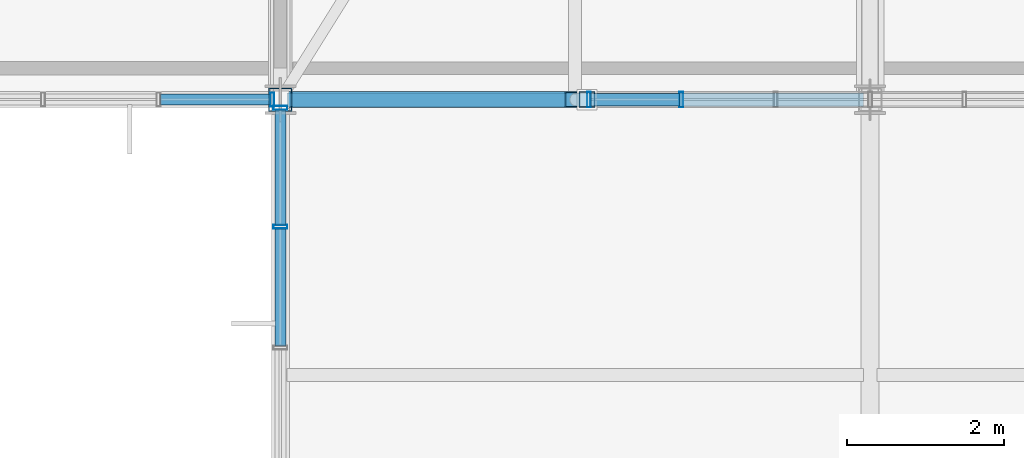
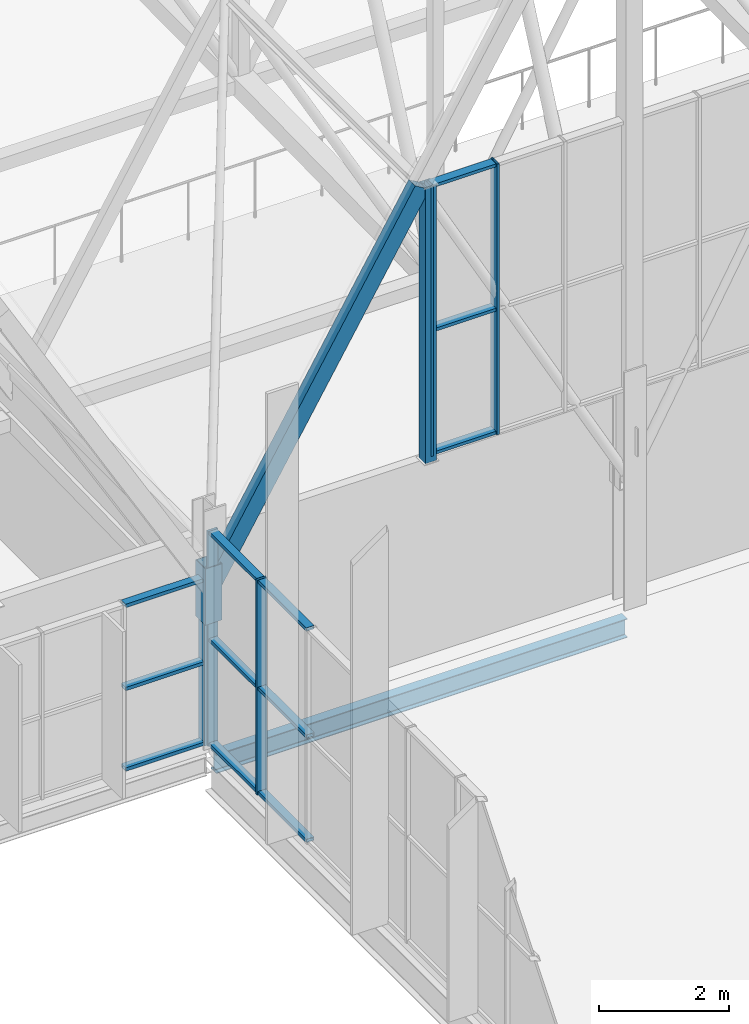
# One storey, part 139 of 324: 20 members, 1 beam, 3 elements without a shape of their own.
"""IFC4 building model written with IfcOpenShell, lengths in metres."""

from ifc_helpers import new_model, si_unit, direction, frame, origin, origin_2d, place, context, subcontext, project, spatial, hollow_rectangle, i_section, extrude, material, layer, layer_set, material_profile, profile_set, type_object, element, aggregate, save


model = new_model("IFC4")

# Units and contexts
model_context = context("Model", 3, precision=1e-05, world=origin(), true_north=direction((0.0, 1.0)))
body_context = subcontext(model_context, "Body", "Model", "MODEL_VIEW")
ifc_project = project(units=[si_unit("LENGTHUNIT", "METRE"), si_unit("AREAUNIT", "SQUARE_METRE"), si_unit("VOLUMEUNIT", "CUBIC_METRE"), si_unit("PLANEANGLEUNIT", "RADIAN"), si_unit("MASSUNIT", "GRAM", prefix="KILO")], contexts=[model_context])

# Site, building, storey
site_placement = place(None, origin())
site = spatial("IfcSite", under=ifc_project, at=site_placement, CompositionType="ELEMENT")
building_placement = place(site_placement, origin())
building = spatial("IfcBuilding", under=site, at=building_placement, Name="Solvenia Promenade Tram Depot", CompositionType="ELEMENT")
storey_placement = place(building_placement, frame((0.0, 0.0, 4.5)))
storey = spatial("IfcBuildingStorey", under=building, at=storey_placement, Name="L01", CompositionType="ELEMENT", Elevation=4.5)

# Curtain wall, member
ifc_material_1 = material(Name="Anodized aluminium AW-6063 T6", Category="aluminium")
ifc_layer_1 = layer(ifc_material_1, 0.159912109375, Name="Anodized aluminium AW-6063 T6", Category="aluminium")
ifc_layer_set_1 = layer_set([ifc_layer_1], Name="Anodized aluminium AW-6063 T6")
curtain_wall_type_1 = type_object("IfcCurtainWallType", Name="CW-Channel-1500", PredefinedType="NOTDEFINED", material=ifc_layer_set_1)
curtain_wall_1_placement = place(storey_placement, origin())
curtain_wall_1 = element("IfcCurtainWall", 1, at=curtain_wall_1_placement, inside=storey, type_object=curtain_wall_type_1, Name="Curtain Wall CW-V1S1-08", PredefinedType="NOTDEFINED")
ifc_material_profile_1 = material_profile(ifc_material_1, hollow_rectangle(XDim=0.179931640625, YDim=0.050048828125, WallThickness=0.00390625, at=origin_2d()), Name="ALU-M2", Category="aluminium")
ifc_profile_set_1 = profile_set([ifc_material_profile_1], Name="Anodized aluminium AW-6063 T6")
member_type_1 = type_object("IfcMemberType", Name="CWM-Mullion-2", PredefinedType="MULLION", material=ifc_profile_set_1)
member_1_placement = place(storey_placement, frame((104.89501953125, 66.0, 0.0), z_axis=(0.0, 0.0, 1.0), x_axis=(0.0, 1.0, 0.0)))
member_1 = element("IfcMember", 2, at=member_1_placement, type_object=member_type_1, Name="CW-2 mullion 6", PredefinedType="MULLION", context=body_context, shape_type="SweptSolid", body=[
    extrude(hollow_rectangle(XDim=0.179931640625, YDim=0.050048828125, WallThickness=0.00390625, at=origin_2d()), origin(), (0.0, 0.0, 1.0), 3.14990234375),
])

# Curtain wall, members
ifc_layer_2 = layer(ifc_material_1, 0.14990234375, Name="Anodized aluminium AW-6063 T6", Category="aluminium")
ifc_layer_set_2 = layer_set([ifc_layer_2], Name="Anodized aluminium AW-6063 T6")
curtain_wall_type_2 = type_object("IfcCurtainWallType", Name="CW-Court-1500", PredefinedType="NOTDEFINED", material=ifc_layer_set_2)
curtain_wall_2_placement = place(storey_placement, origin())
curtain_wall_2 = element("IfcCurtainWall", 3, at=curtain_wall_2_placement, inside=storey, type_object=curtain_wall_type_2, Name="Curtain Wall CW-V2W-L1-2", PredefinedType="NOTDEFINED")
member_2_placement = place(storey_placement, frame((105.0, 64.38232421875, 0.0), z_axis=(0.0, 0.0, 1.0), x_axis=(-1.0, 0.0, 0.0)))
member_2 = element("IfcMember", 4, at=member_2_placement, type_object=member_type_1, Name="CW-5 mullion 9", PredefinedType="MULLION", context=body_context, shape_type="SweptSolid", body=[
    extrude(hollow_rectangle(XDim=0.179931640625, YDim=0.050048828125, WallThickness=0.00390625, at=origin_2d()), origin(), (0.0, 0.0, 1.0), 4.050048828125),
])
member_3_placement = place(storey_placement, frame((105.0, 65.89501953125, 0.0), z_axis=(0.0, 0.0, 1.0), x_axis=(-1.0, 0.0, 0.0)))
member_3 = element("IfcMember", 5, at=member_3_placement, type_object=member_type_1, Name="CW-5 mullion 10", PredefinedType="MULLION", context=body_context, shape_type="SweptSolid", body=[
    extrude(hollow_rectangle(XDim=0.179931640625, YDim=0.050048828125, WallThickness=0.00390625, at=origin_2d()), origin(), (0.0, 0.0, 1.0), 4.050048828125),
])

ifc_layer_3 = layer(ifc_material_1, 0.14990234375, Name="Anodized aluminium AW-6063 T6", Category="aluminium")
ifc_layer_set_3 = layer_set([ifc_layer_3], Name="Anodized aluminium AW-6063 T6")
curtain_wall_type_3 = type_object("IfcCurtainWallType", Name="CW-Gable-1200", PredefinedType="NOTDEFINED", material=ifc_layer_set_3)
curtain_wall_3_placement = place(storey_placement, origin())
curtain_wall_3 = element("IfcCurtainWall", 6, at=curtain_wall_3_placement, inside=storey, type_object=curtain_wall_type_3, Name="South Zigzag Gable 08 Peak Glazing", PredefinedType="NOTDEFINED")
ifc_material_profile_2 = material_profile(ifc_material_1, hollow_rectangle(XDim=0.199951171875, YDim=0.048095703125, WallThickness=0.00390625, at=origin_2d()), Name="ALU-M3", Category="aluminium")
ifc_profile_set_2 = profile_set([ifc_material_profile_2], Name="Anodized aluminium AW-6063 T6")
member_type_2 = type_object("IfcMemberType", Name="CWM-Mullion-3", PredefinedType="MULLION", material=ifc_profile_set_2)
member_4_placement = place(storey_placement, frame((108.924072265625, 66.0, 4.050048828125), z_axis=(0.0, 0.0, 1.0), x_axis=(0.0, 1.0, 0.0)))
member_4 = element("IfcMember", 7, at=member_4_placement, type_object=member_type_2, Name="CW-3 mullion 1", PredefinedType="MULLION", context=body_context, shape_type="SweptSolid", body=[
    extrude(hollow_rectangle(XDim=0.199951171875, YDim=0.048095703125, WallThickness=0.00390625, at=origin_2d()), origin(), (0.0, 0.0, 1.0), 5.099853515625),
])
member_5_placement = place(storey_placement, frame((110.10009765625, 66.0, 4.050048828125), z_axis=(0.0, 0.0, 1.0), x_axis=(0.0, 1.0, 0.0)))
member_5 = element("IfcMember", 8, at=member_5_placement, type_object=member_type_2, Name="CW-3 mullion 2", PredefinedType="MULLION", context=body_context, shape_type="SweptSolid", body=[
    extrude(hollow_rectangle(XDim=0.199951171875, YDim=0.048095703125, WallThickness=0.00390625, at=origin_2d()), origin(), (0.0, 0.0, 1.0), 5.099853515625),
])

# Member
ifc_material_profile_3 = material_profile(ifc_material_1, hollow_rectangle(XDim=0.139892578125, YDim=0.06494140625, WallThickness=0.00390625, at=origin_2d()), Name="ALU-T2", Category="aluminium")
ifc_profile_set_3 = profile_set([ifc_material_profile_3], Name="Anodized aluminium AW-6063 T6")
member_type_3 = type_object("IfcMemberType", Name="CWT-Transom-2", PredefinedType="USERDEFINED", material=ifc_profile_set_3)
member_6_placement = place(storey_placement, frame((103.47705078125, 66.0, 0.032470703125), z_axis=(1.0, 0.0, 0.0), x_axis=(0.0, 1.0, 0.0)))
member_6 = element("IfcMember", 9, at=member_6_placement, type_object=member_type_3, Name="CW-2 transom 5.1", ObjectType="TRANSOM", PredefinedType="USERDEFINED", context=body_context, shape_type="SweptSolid", body=[
    extrude(hollow_rectangle(XDim=0.139892578125, YDim=0.06494140625, WallThickness=0.00390625, at=origin_2d()), origin(), (0.0, 0.0, 1.0), 1.39306640625),
])

member_7_placement = place(storey_placement, frame((103.47705078125, 66.0, 1.550048828125), z_axis=(1.0, 0.0, 0.0), x_axis=(0.0, 1.0, 0.0)))
member_7 = element("IfcMember", 10, at=member_7_placement, type_object=member_type_3, Name="CW-2 transom 5.2", ObjectType="TRANSOM", PredefinedType="USERDEFINED", context=body_context, shape_type="SweptSolid", body=[
    extrude(hollow_rectangle(XDim=0.139892578125, YDim=0.06494140625, WallThickness=0.00390625, at=origin_2d()), origin(), (0.0, 0.0, 1.0), 1.39306640625),
])

member_8_placement = place(storey_placement, frame((103.47705078125, 66.0, 3.117431640625), z_axis=(1.0, 0.0, 0.0), x_axis=(0.0, 1.0, 0.0)))
member_8 = element("IfcMember", 11, at=member_8_placement, type_object=member_type_3, Name="CW-2 transom 5.3", ObjectType="TRANSOM", PredefinedType="USERDEFINED", context=body_context, shape_type="SweptSolid", body=[
    extrude(hollow_rectangle(XDim=0.139892578125, YDim=0.06494140625, WallThickness=0.00390625, at=origin_2d()), origin(), (0.0, 0.0, 1.0), 1.39306640625),
])

aggregate(curtain_wall_1, [member_1, member_6, member_7, member_8])

member_9_placement = place(storey_placement, frame((105.0, 62.869384765625, 0.032470703125), z_axis=(0.0, 1.0, 0.0), x_axis=(-1.0, 0.0, 0.0)))
member_9 = element("IfcMember", 12, at=member_9_placement, type_object=member_type_3, Name="CW-5 transom 8.1", ObjectType="TRANSOM", PredefinedType="USERDEFINED", context=body_context, shape_type="SweptSolid", body=[
    extrude(hollow_rectangle(XDim=0.139892578125, YDim=0.06494140625, WallThickness=0.00390625, at=origin_2d()), origin(), (0.0, 0.0, 1.0), 1.48779296875),
])

member_10_placement = place(storey_placement, frame((105.0, 62.869384765625, 2.0), z_axis=(0.0, 1.0, 0.0), x_axis=(-1.0, 0.0, 0.0)))
member_10 = element("IfcMember", 13, at=member_10_placement, type_object=member_type_3, Name="CW-5 transom 8.2", ObjectType="TRANSOM", PredefinedType="USERDEFINED", context=body_context, shape_type="SweptSolid", body=[
    extrude(hollow_rectangle(XDim=0.139892578125, YDim=0.06494140625, WallThickness=0.00390625, at=origin_2d()), origin(), (0.0, 0.0, 1.0), 1.48779296875),
])

member_11_placement = place(storey_placement, frame((105.0, 62.869384765625, 4.017578125), z_axis=(0.0, 1.0, 0.0), x_axis=(-1.0, 0.0, 0.0)))
member_11 = element("IfcMember", 14, at=member_11_placement, type_object=member_type_3, Name="CW-5 transom 8.3", ObjectType="TRANSOM", PredefinedType="USERDEFINED", context=body_context, shape_type="SweptSolid", body=[
    extrude(hollow_rectangle(XDim=0.139892578125, YDim=0.06494140625, WallThickness=0.00390625, at=origin_2d()), origin(), (0.0, 0.0, 1.0), 1.48779296875),
])

member_12_placement = place(storey_placement, frame((105.0, 64.4072265625, 0.032470703125), z_axis=(0.0, 1.0, 0.0), x_axis=(-1.0, 0.0, 0.0)))
member_12 = element("IfcMember", 15, at=member_12_placement, type_object=member_type_3, Name="CW-5 transom 9.1", ObjectType="TRANSOM", PredefinedType="USERDEFINED", context=body_context, shape_type="SweptSolid", body=[
    extrude(hollow_rectangle(XDim=0.139892578125, YDim=0.06494140625, WallThickness=0.00390625, at=origin_2d()), origin(), (0.0, 0.0, 1.0), 1.462890625),
])

member_13_placement = place(storey_placement, frame((105.0, 64.4072265625, 2.0), z_axis=(0.0, 1.0, 0.0), x_axis=(-1.0, 0.0, 0.0)))
member_13 = element("IfcMember", 16, at=member_13_placement, type_object=member_type_3, Name="CW-5 transom 9.2", ObjectType="TRANSOM", PredefinedType="USERDEFINED", context=body_context, shape_type="SweptSolid", body=[
    extrude(hollow_rectangle(XDim=0.139892578125, YDim=0.06494140625, WallThickness=0.00390625, at=origin_2d()), origin(), (0.0, 0.0, 1.0), 1.462890625),
])

member_14_placement = place(storey_placement, frame((105.0, 64.4072265625, 4.017578125), z_axis=(0.0, 1.0, 0.0), x_axis=(-1.0, 0.0, 0.0)))
member_14 = element("IfcMember", 17, at=member_14_placement, type_object=member_type_3, Name="CW-5 transom 9.3", ObjectType="TRANSOM", PredefinedType="USERDEFINED", context=body_context, shape_type="SweptSolid", body=[
    extrude(hollow_rectangle(XDim=0.139892578125, YDim=0.06494140625, WallThickness=0.00390625, at=origin_2d()), origin(), (0.0, 0.0, 1.0), 1.462890625),
])

aggregate(curtain_wall_2, [member_2, member_3, member_9, member_10, member_11, member_12, member_13, member_14])

ifc_material_profile_4 = material_profile(ifc_material_1, hollow_rectangle(XDim=0.159912109375, YDim=0.05810546875, WallThickness=0.00390625, at=origin_2d()), Name="ALU-T3", Category="aluminium")
ifc_profile_set_4 = profile_set([ifc_material_profile_4], Name="Anodized aluminium AW-6063 T6")
member_type_4 = type_object("IfcMemberType", Name="CWT-Transom-3", PredefinedType="USERDEFINED", material=ifc_profile_set_4)
member_15_placement = place(storey_placement, frame((108.947998046875, 66.0, 4.0791015625), z_axis=(1.0, 0.0, 0.0), x_axis=(0.0, 1.0, 0.0)))
member_15 = element("IfcMember", 18, at=member_15_placement, type_object=member_type_4, Name="CW-3 transom 1.1", ObjectType="TRANSOM", PredefinedType="USERDEFINED", context=body_context, shape_type="SweptSolid", body=[
    extrude(hollow_rectangle(XDim=0.159912109375, YDim=0.05810546875, WallThickness=0.00390625, at=origin_2d()), origin(), (0.0, 0.0, 1.0), 1.1279296875),
])

member_16_placement = place(storey_placement, frame((108.947998046875, 66.0, 6.39990234375), z_axis=(1.0, 0.0, 0.0), x_axis=(0.0, 1.0, 0.0)))
member_16 = element("IfcMember", 19, at=member_16_placement, type_object=member_type_4, Name="CW-3 transom 1.2", ObjectType="TRANSOM", PredefinedType="USERDEFINED", context=body_context, shape_type="SweptSolid", body=[
    extrude(hollow_rectangle(XDim=0.159912109375, YDim=0.05810546875, WallThickness=0.00390625, at=origin_2d()), origin(), (0.0, 0.0, 1.0), 1.1279296875),
])

member_17_placement = place(storey_placement, frame((108.947998046875, 66.0, 9.12109375), z_axis=(1.0, 0.0, 0.0), x_axis=(0.0, 1.0, 0.0)))
member_17 = element("IfcMember", 20, at=member_17_placement, type_object=member_type_4, Name="CW-3 transom 1.3", ObjectType="TRANSOM", PredefinedType="USERDEFINED", context=body_context, shape_type="SweptSolid", body=[
    extrude(hollow_rectangle(XDim=0.159912109375, YDim=0.05810546875, WallThickness=0.00390625, at=origin_2d()), origin(), (0.0, 0.0, 1.0), 1.1279296875),
])

aggregate(curtain_wall_3, [member_4, member_5, member_15, member_16, member_17])

# Members
ifc_material_2 = material(Name="Structural steel ASTM A500 Gr. C", Category="steel")
ifc_material_profile_5 = material_profile(ifc_material_2, hollow_rectangle(XDim=0.199951171875, YDim=0.300048828125, WallThickness=0.012451171875, at=origin_2d()), Name="HSS300x200x12.5", Category="steel")
ifc_profile_set_5 = profile_set([ifc_material_profile_5], Name="Structural steel ASTM A500 Gr. C")
member_type_5 = type_object("IfcMemberType", Name="Chord-HSS300x200x12", PredefinedType="CHORD", material=ifc_profile_set_5)
member_18_placement = place(storey_placement, frame((105.0, 66.0, 2.93017578125), z_axis=(0.514584433357, 0.0, 0.857439712718), x_axis=(0.0, 1.0, 0.0)))
element("IfcMember", 21, at=member_18_placement, inside=storey, type_object=member_type_5, Name="Zigzag Gable 08 West Lower Rafter", PredefinedType="CHORD", context=body_context, shape_type="SweptSolid", body=[
    extrude(hollow_rectangle(XDim=0.199951171875, YDim=0.300048828125, WallThickness=0.012451171875, at=origin_2d()), origin(), (0.0, 0.0, 1.0), 7.287353515625),
])
ifc_material_profile_6 = material_profile(ifc_material_2, hollow_rectangle(XDim=0.300048828125, YDim=0.300048828125, WallThickness=0.012451171875, at=origin_2d()), Name="HSS300x300x12.5", Category="steel")
ifc_profile_set_6 = profile_set([ifc_material_profile_6], Name="Structural steel ASTM A500 Gr. C")
member_type_6 = type_object("IfcMemberType", Name="Chord-HSS300x300x12", PredefinedType="CHORD", material=ifc_profile_set_6)
member_19_placement = place(storey_placement, frame((105.0, 66.0, 2.320068359375), z_axis=(0.0, 0.0, 1.0), x_axis=(1.0, 0.0, 0.0)))
element("IfcMember", 22, at=member_19_placement, inside=storey, type_object=member_type_6, Name="Arched Truss T15 S End Post", PredefinedType="CHORD", context=body_context, shape_type="SweptSolid", body=[
    extrude(hollow_rectangle(XDim=0.300048828125, YDim=0.300048828125, WallThickness=0.012451171875, at=origin_2d()), origin(), (0.0, 0.0, 1.0), 1.059814453125),
])
ifc_material_profile_7 = material_profile(ifc_material_2, hollow_rectangle(XDim=0.199951171875, YDim=0.199951171875, WallThickness=0.010009765625, at=origin_2d()), Name="HSS200x200x10", Category="steel")
ifc_profile_set_7 = profile_set([ifc_material_profile_7], Name="Structural steel ASTM A500 Gr. C")
member_type_7 = type_object("IfcMemberType", Name="Post-HSS200x200x10", PredefinedType="POST", material=ifc_profile_set_7)
member_20_placement = place(storey_placement, frame((108.89990234375, 66.0, 3.949951171875), z_axis=(0.0, 0.0, 1.0), x_axis=(1.0, 0.0, 0.0)))
element("IfcMember", 23, at=member_20_placement, inside=storey, type_object=member_type_7, Name="Gable Curtain-Wall Steel Jamb Post 031", PredefinedType="POST", context=body_context, shape_type="SweptSolid", body=[
    extrude(hollow_rectangle(XDim=0.199951171875, YDim=0.199951171875, WallThickness=0.010009765625, at=origin_2d()), origin(), (0.0, 0.0, 1.0), 5.199951171875),
])

# Beam
ifc_material_3 = material(Name="Structural steel ASTM A992 Gr. 50", Category="steel")
ifc_material_profile_8 = material_profile(ifc_material_3, i_section(OverallWidth=0.172119140625, OverallDepth=0.35791015625, WebThickness=0.0078125, FlangeThickness=0.01318359375, FilletRadius=0.010986328125, at=origin_2d()), Name="W360x57", Category="steel")
ifc_profile_set_8 = profile_set([ifc_material_profile_8], Name="Structural steel ASTM A992 Gr. 50")
beam_type = type_object("IfcBeamType", Name="Spandrel-W360x57", PredefinedType="SPANDREL", material=ifc_profile_set_8)
beam_placement = place(storey_placement, frame((105.0849609375, 66.0, -0.4189453125), z_axis=(1.0, 0.0, 0.0), x_axis=(0.0, 1.0, 0.0)))
element("IfcBeam", 24, at=beam_placement, inside=storey, type_object=beam_type, Name="Perimeter Spandrel BM-L01-0015", PredefinedType="SPANDREL", context=body_context, shape_type="SweptSolid", body=[
    extrude(i_section(OverallWidth=0.172119140625, OverallDepth=0.35791015625, WebThickness=0.0078125, FlangeThickness=0.01318359375, FilletRadius=0.010986328125, at=origin_2d()), origin(), (0.0, 0.0, 1.0), 7.330078125),
])

save(model, "model.ifc")
